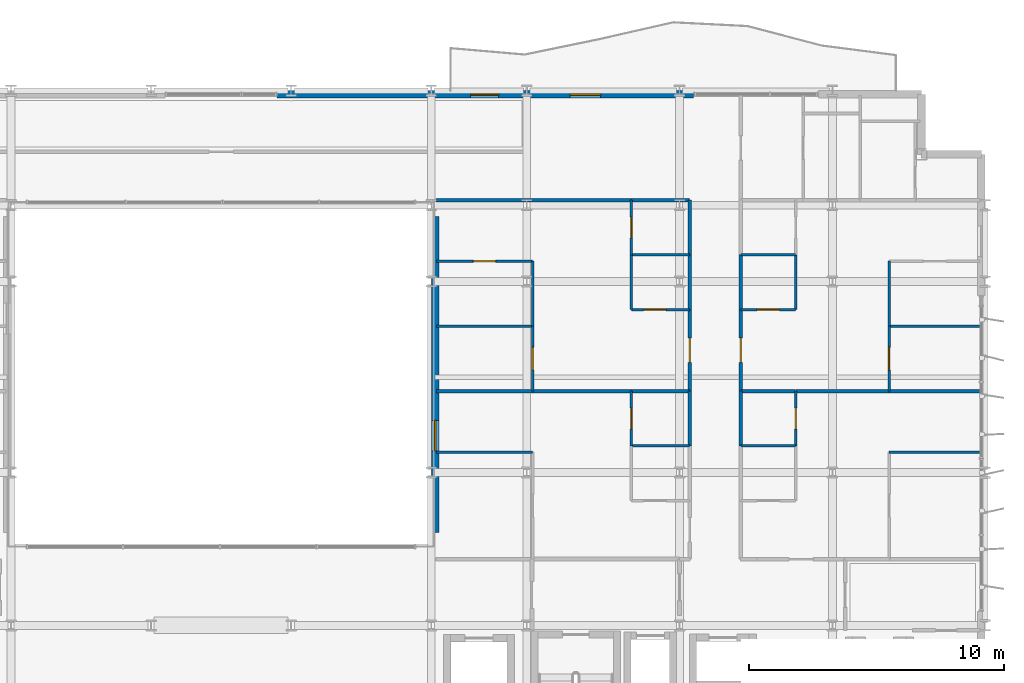
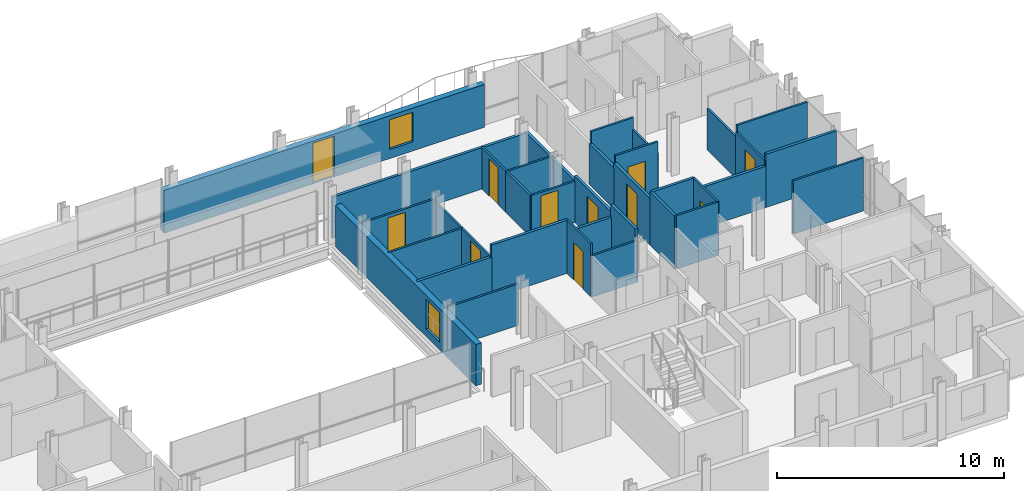
# One storey, part 32 of 39: 37 walls, 11 doors, 2 windows, 13 openings.
"""IFC4 building model written with IfcOpenShell, lengths in metres."""

from ifc_helpers import new_model, si_unit, direction, frame, frame_2d, origin, place, context, subcontext, project, spatial, rectangle, extrude, material, layer, layer_set, type_object, element, fill, save


model = new_model("IFC4")

# Units and contexts
model_context = context("Model", 3, precision=1e-05, world=origin(), true_north=direction((0.0, 1.0)))
body_context = subcontext(model_context, "Body", "Model", "MODEL_VIEW")
ifc_project = project(units=[si_unit("LENGTHUNIT", "METRE"), si_unit("AREAUNIT", "SQUARE_METRE"), si_unit("VOLUMEUNIT", "CUBIC_METRE"), si_unit("PLANEANGLEUNIT", "RADIAN"), si_unit("MASSUNIT", "GRAM", prefix="KILO")], contexts=[model_context])

# Site, building, storey
site_placement = place(None, origin())
site = spatial("IfcSite", under=ifc_project, at=site_placement, CompositionType="ELEMENT")
building_placement = place(site_placement, origin())
building = spatial("IfcBuilding", under=site, at=building_placement, Name="Brevholm Reach", CompositionType="ELEMENT")
storey_placement = place(building_placement, frame((0.0, 0.0, 83.800048828125)))
storey = spatial("IfcBuildingStorey", under=building, at=storey_placement, Name="L24", CompositionType="ELEMENT", Elevation=83.800048828125)

# Wall, openings, door, window
ifc_material_1 = material(Name="Concrete C40/50", Category="concrete")
ifc_layer_1 = layer(ifc_material_1, 0.300048828125)
ifc_layer_set_1 = layer_set([ifc_layer_1], Name="Concrete C40/50")
wall_type_1 = type_object("IfcWallType", Name="WAL-EXT-300", PredefinedType="STANDARD", material=ifc_layer_set_1)
wall_1_placement = place(storey_placement, frame((32.199951171875, 30.85009765625, 0.0), z_axis=(0.0, 0.0, 1.0), x_axis=(1.0, 0.0, 0.0)))
wall_1 = element("IfcWall", 1, at=wall_1_placement, inside=storey, type_object=wall_type_1, Name="L24 Facade Wall WAL-L24-NP-ER", PredefinedType="STANDARD", context=body_context, shape_type="SweptSolid", body=[
    extrude(rectangle(XDim=16.35009765625, YDim=0.300048828125, at=frame_2d((8.175048828125, 0.0))), origin(), (0.0, 0.0, 1.0), 2.305419921875),
])
opening_1_placement = place(wall_1_placement, frame((7.60009765625, 0.0, 0.0)))
opening_1 = element("IfcOpeningElement", 2, at=opening_1_placement, cuts=wall_1, Name="Opening BD-01", PredefinedType="OPENING", context=body_context, shape_type="SweptSolid", body=[
    extrude(rectangle(XDim=1.10009765625, YDim=2.199951171875, at=frame_2d((0.550048828125, 1.10009765625))), frame((0.0, 0.159912109375, 0.0), z_axis=(0.0, -1.0, 0.0), x_axis=(1.0, 0.0, 0.0)), (0.0, 0.0, 1.0), 0.320068359375),
])
opening_2_placement = place(wall_1_placement, frame((11.5, 0.0, 0.486083984375)))
opening_2 = element("IfcOpeningElement", 3, at=opening_2_placement, cuts=wall_1, Name="Opening WN-08", PredefinedType="OPENING", context=body_context, shape_type="SweptSolid", body=[
    extrude(rectangle(XDim=1.199951171875, YDim=1.60009765625, at=frame_2d((0.60009765625, 0.800048828125))), frame((0.0, 0.159912109375, 0.0), z_axis=(0.0, -1.0, 0.0), x_axis=(1.0, 0.0, 0.0)), (0.0, 0.0, 1.0), 0.320068359375),
])
ifc_material_2 = material(Name="Dark Anodised Aluminium and Triple-Glazed Glass", Category="aluminium")
door_type_1 = type_object("IfcDoorType", Name="DOR-BALC-1100", OperationType="NOTDEFINED", PredefinedType="DOOR", material=ifc_material_2)
door_1_placement = place(opening_1_placement, origin())
door_1 = element("IfcDoor", 4, at=door_1_placement, inside=storey, type_object=door_type_1, Name="L24 Exterior Door DOR-L24-BL-NE", OperationType="SINGLE_SWING_RIGHT", OverallHeight=2.199951171875, OverallWidth=1.10009765625, PredefinedType="DOOR", context=body_context, shape_type="SweptSolid", body=[
    extrude(rectangle(XDim=1.10009765625, YDim=2.199951171875, at=frame_2d((0.550048828125, 1.10009765625))), frame((0.0, 0.02490234375, 0.0), z_axis=(0.0, -1.0, 0.0), x_axis=(1.0, 0.0, 0.0)), (0.0, 0.0, 1.0), 0.050048828125),
])
fill(opening_1, door_1)
ifc_material_3 = material(Name="Dark Anodised Aluminium and Solar-Control IGU Glass", Category="aluminium")
window_type = type_object("IfcWindowType", Name="WIN-RES-1200", PartitioningType="SINGLE_PANEL", PredefinedType="WINDOW", material=ifc_material_3)
window_1_placement = place(opening_2_placement, origin())
window_1 = element("IfcWindow", 5, at=window_1_placement, inside=storey, type_object=window_type, Name="L24 Window WIN-L24-NP-ER1", OverallHeight=1.60009765625, OverallWidth=1.199951171875, PartitioningType="SINGLE_PANEL", PredefinedType="WINDOW", context=body_context, shape_type="SweptSolid", body=[
    extrude(rectangle(XDim=1.199951171875, YDim=1.60009765625, at=frame_2d((0.60009765625, 0.800048828125))), frame((0.0, 0.030029296875, 0.0), z_axis=(0.0, -1.0, 0.0), x_axis=(1.0, 0.0, 0.0)), (0.0, 0.0, 1.0), 0.06005859375),
])
fill(opening_2, window_1)

# Wall, opening, window
wall_2_placement = place(storey_placement, frame((38.39990234375, 13.64990234375, 0.0), z_axis=(0.0, 0.0, 1.0), x_axis=(0.0, 1.0, 0.0)))
wall_2 = element("IfcWall", 6, at=wall_2_placement, inside=storey, type_object=wall_type_1, Name="L24 Facade Wall WAL-L24-AT-E", PredefinedType="STANDARD", context=body_context, shape_type="SweptSolid", body=[
    extrude(rectangle(XDim=12.400146484375, YDim=0.300048828125, at=frame_2d((6.2001953125, 0.0))), origin(), (0.0, 0.0, 1.0), 2.224853515625),
])
opening_3_placement = place(wall_2_placement, frame((3.199951171875, 0.0, 0.405029296875)))
opening_3 = element("IfcOpeningElement", 7, at=opening_3_placement, cuts=wall_2, Name="Opening WN-08", PredefinedType="OPENING", context=body_context, shape_type="SweptSolid", body=[
    extrude(rectangle(XDim=1.199951171875, YDim=1.60009765625, at=frame_2d((0.60009765625, 0.800048828125))), frame((0.0, 0.159912109375, 0.0), z_axis=(0.0, -1.0, 0.0), x_axis=(1.0, 0.0, 0.0)), (0.0, 0.0, 1.0), 0.320068359375),
])
window_2_placement = place(opening_3_placement, origin())
window_2 = element("IfcWindow", 8, at=window_2_placement, inside=storey, type_object=window_type, Name="L24 Window WIN-L24-AT-E1", OverallHeight=1.60009765625, OverallWidth=1.199951171875, PartitioningType="SINGLE_PANEL", PredefinedType="WINDOW", context=body_context, shape_type="SweptSolid", body=[
    extrude(rectangle(XDim=1.199951171875, YDim=1.60009765625, at=frame_2d((0.60009765625, 0.800048828125))), frame((0.0, 0.030029296875, 0.0), z_axis=(0.0, -1.0, 0.0), x_axis=(1.0, 0.0, 0.0)), (0.0, 0.0, 1.0), 0.06005859375),
])
fill(opening_3, window_2)

# Wall
ifc_material_4 = material(Name="Moisture-Resistant Acoustic Gypsum Stud Partition 100 mm", Category="gypsum")
ifc_layer_2 = layer(ifc_material_4, 0.10009765625)
ifc_layer_set_2 = layer_set([ifc_layer_2], Name="Moisture-Resistant Acoustic Gypsum Stud Partition 100 mm")
wall_type_2 = type_object("IfcWallType", Name="WAL-PRT-100", PredefinedType="PARTITIONING", material=ifc_layer_set_2)
wall_3_placement = place(storey_placement, frame((46.112060546875, 17.050048828125, 0.0), z_axis=(0.0, 0.0, 1.0), x_axis=(1.0, 0.0, 0.0)))
element("IfcWall", 9, at=wall_3_placement, inside=storey, type_object=wall_type_2, Name="L24 Internal Partition 125", PredefinedType="PARTITIONING", context=body_context, shape_type="SweptSolid", body=[
    extrude(rectangle(XDim=2.283935546875, YDim=0.10009765625, at=frame_2d((1.14208984375, 0.0))), origin(), (0.0, 0.0, 1.0), 2.224853515625),
])

# Wall, opening, door
wall_4_placement = place(storey_placement, frame((46.112060546875, 17.050048828125, 0.0), z_axis=(0.0, 0.0, 1.0), x_axis=(0.0, 1.0, 0.0)))
wall_4 = element("IfcWall", 10, at=wall_4_placement, inside=storey, type_object=wall_type_2, Name="L24 Internal Partition 126", PredefinedType="PARTITIONING", context=body_context, shape_type="SweptSolid", body=[
    extrude(rectangle(XDim=2.14990234375, YDim=0.10009765625, at=frame_2d((1.074951171875, 0.0))), origin(), (0.0, 0.0, 1.0), 2.869873046875),
])
opening_4_placement = place(wall_4_placement, frame((0.6650390625, 0.0, 0.0)))
opening_4 = element("IfcOpeningElement", 11, at=opening_4_placement, cuts=wall_4, Name="Opening ID-03", PredefinedType="OPENING", context=body_context, shape_type="SweptSolid", body=[
    extrude(rectangle(XDim=0.820068359375, YDim=2.02001953125, at=frame_2d((0.41015625, 1.010009765625))), frame((0.0, 0.06005859375, 0.0), z_axis=(0.0, -1.0, 0.0), x_axis=(1.0, 0.0, 0.0)), (0.0, 0.0, 1.0), 0.1201171875),
])
ifc_material_5 = material(Name="Moisture-Resistant Painted Timber Internal Bathroom Door", Category="wood")
door_type_2 = type_object("IfcDoorType", Name="DOR-BATH-820", OperationType="NOTDEFINED", PredefinedType="DOOR", material=ifc_material_5)
door_2_placement = place(opening_4_placement, origin())
door_2 = element("IfcDoor", 12, at=door_2_placement, inside=storey, type_object=door_type_2, Name="L24 Internal Door 048", OperationType="SINGLE_SWING_LEFT", OverallHeight=2.02001953125, OverallWidth=0.820068359375, PredefinedType="DOOR", context=body_context, shape_type="SweptSolid", body=[
    extrude(rectangle(XDim=0.820068359375, YDim=2.02001953125, at=frame_2d((0.41015625, 1.010009765625))), frame((0.0, 0.02490234375, 0.0), z_axis=(0.0, -1.0, 0.0), x_axis=(1.0, 0.0, 0.0)), (0.0, 0.0, 1.0), 0.050048828125),
])
fill(opening_4, door_2)

# Walls
wall_5_placement = place(storey_placement, frame((38.449951171875, 16.800048828125, 0.0), z_axis=(0.0, 0.0, 1.0), x_axis=(1.0, 0.0, 0.0)))
element("IfcWall", 13, at=wall_5_placement, inside=storey, type_object=wall_type_2, Name="L24 Internal Partition 131", PredefinedType="PARTITIONING", context=body_context, shape_type="SweptSolid", body=[
    extrude(rectangle(XDim=3.781005859375, YDim=0.10009765625, at=frame_2d((1.890625, 0.0))), origin(), (0.0, 0.0, 1.0), 2.224853515625),
])
wall_6_placement = place(storey_placement, frame((46.112060546875, 24.550048828125, 0.0), z_axis=(0.0, 0.0, 1.0), x_axis=(1.0, 0.0, 0.0)))
element("IfcWall", 14, at=wall_6_placement, inside=storey, type_object=wall_type_2, Name="L24 Internal Partition 134", PredefinedType="PARTITIONING", context=body_context, shape_type="SweptSolid", body=[
    extrude(rectangle(XDim=2.283935546875, YDim=0.10009765625, at=frame_2d((1.14208984375, 0.0))), origin(), (0.0, 0.0, 1.0), 2.224853515625),
])

# Wall, opening, door
wall_7_placement = place(storey_placement, frame((46.112060546875, 24.550048828125, 0.0), z_axis=(0.0, 0.0, 1.0), x_axis=(0.0, 1.0, 0.0)))
wall_7 = element("IfcWall", 15, at=wall_7_placement, inside=storey, type_object=wall_type_2, Name="L24 Internal Partition 135", PredefinedType="PARTITIONING", context=body_context, shape_type="SweptSolid", body=[
    extrude(rectangle(XDim=2.14599609375, YDim=0.10009765625, at=frame_2d((1.072998046875, 0.0))), origin(), (0.0, 0.0, 1.0), 2.224853515625),
])
opening_5_placement = place(wall_7_placement, frame((0.6630859375, 0.0, 0.0)))
opening_5 = element("IfcOpeningElement", 16, at=opening_5_placement, cuts=wall_7, Name="Opening ID-03", PredefinedType="OPENING", context=body_context, shape_type="SweptSolid", body=[
    extrude(rectangle(XDim=0.820068359375, YDim=2.02001953125, at=frame_2d((0.41015625, 1.010009765625))), frame((0.0, 0.06005859375, 0.0), z_axis=(0.0, -1.0, 0.0), x_axis=(1.0, 0.0, 0.0)), (0.0, 0.0, 1.0), 0.1201171875),
])
door_3_placement = place(opening_5_placement, origin())
door_3 = element("IfcDoor", 17, at=door_3_placement, inside=storey, type_object=door_type_2, Name="L24 Internal Door 051", OperationType="SINGLE_SWING_RIGHT", OverallHeight=2.02001953125, OverallWidth=0.820068359375, PredefinedType="DOOR", context=body_context, shape_type="SweptSolid", body=[
    extrude(rectangle(XDim=0.820068359375, YDim=2.02001953125, at=frame_2d((0.41015625, 1.010009765625))), frame((0.0, 0.02490234375, 0.0), z_axis=(0.0, -1.0, 0.0), x_axis=(1.0, 0.0, 0.0)), (0.0, 0.0, 1.0), 0.050048828125),
])
fill(opening_5, door_3)

wall_8_placement = place(storey_placement, frame((46.112060546875, 22.39990234375, 0.0), z_axis=(0.0, 0.0, 1.0), x_axis=(1.0, 0.0, 0.0)))
wall_8 = element("IfcWall", 18, at=wall_8_placement, inside=storey, type_object=wall_type_2, Name="L24 Internal Partition 136", PredefinedType="PARTITIONING", context=body_context, shape_type="SweptSolid", body=[
    extrude(rectangle(XDim=2.283935546875, YDim=0.10009765625, at=frame_2d((1.14208984375, 0.0))), origin(), (0.0, 0.0, 1.0), 2.224853515625),
])
opening_6_placement = place(wall_8_placement, frame((0.48193359375, 0.0, 0.0)))
opening_6 = element("IfcOpeningElement", 19, at=opening_6_placement, cuts=wall_8, Name="Opening ID-01", PredefinedType="OPENING", context=body_context, shape_type="SweptSolid", body=[
    extrude(rectangle(XDim=0.8798828125, YDim=2.0400390625, at=frame_2d((0.43994140625, 1.02001953125))), frame((0.0, 0.06005859375, 0.0), z_axis=(0.0, -1.0, 0.0), x_axis=(1.0, 0.0, 0.0)), (0.0, 0.0, 1.0), 0.1201171875),
])
ifc_material_6 = material(Name="Lacquered Ash Solid-Core Acoustic Internal Door", Category="timber")
door_type_3 = type_object("IfcDoorType", Name="DOR-INT-880", OperationType="NOTDEFINED", PredefinedType="DOOR", material=ifc_material_6)
door_4_placement = place(opening_6_placement, origin())
door_4 = element("IfcDoor", 20, at=door_4_placement, inside=storey, type_object=door_type_3, Name="L24 Internal Door 052", OperationType="SINGLE_SWING_LEFT", OverallHeight=2.0400390625, OverallWidth=0.8798828125, PredefinedType="DOOR", context=body_context, shape_type="SweptSolid", body=[
    extrude(rectangle(XDim=0.8798828125, YDim=2.0400390625, at=frame_2d((0.43994140625, 1.02001953125))), frame((0.0, 0.02490234375, 0.0), z_axis=(0.0, -1.0, 0.0), x_axis=(1.0, 0.0, 0.0)), (0.0, 0.0, 1.0), 0.050048828125),
])
fill(opening_6, door_4)

# Walls
wall_9_placement = place(storey_placement, frame((46.112060546875, 22.39990234375, 0.0), z_axis=(0.0, 0.0, 1.0), x_axis=(0.0, 1.0, 0.0)))
element("IfcWall", 21, at=wall_9_placement, inside=storey, type_object=wall_type_2, Name="L24 Internal Partition 137", PredefinedType="PARTITIONING", context=body_context, shape_type="SweptSolid", body=[
    extrude(rectangle(XDim=2.14599609375, YDim=0.10009765625, at=frame_2d((1.072998046875, 0.0))), origin(), (0.0, 0.0, 1.0), 2.224853515625),
])
wall_10_placement = place(storey_placement, frame((38.449951171875, 21.75, 0.0), z_axis=(0.0, 0.0, 1.0), x_axis=(1.0, 0.0, 0.0)))
element("IfcWall", 22, at=wall_10_placement, inside=storey, type_object=wall_type_2, Name="L24 Internal Partition 138", PredefinedType="PARTITIONING", context=body_context, shape_type="SweptSolid", body=[
    extrude(rectangle(XDim=3.781005859375, YDim=0.10009765625, at=frame_2d((1.890625, 0.0))), origin(), (0.0, 0.0, 1.0), 2.224853515625),
])

# Wall, opening, door
wall_11_placement = place(storey_placement, frame((42.23095703125, 19.2041015625, 0.0), z_axis=(0.0, 0.0, 1.0), x_axis=(0.0, 1.0, 0.0)))
wall_11 = element("IfcWall", 23, at=wall_11_placement, inside=storey, type_object=wall_type_2, Name="L24 Internal Partition 139", PredefinedType="PARTITIONING", context=body_context, shape_type="SweptSolid", body=[
    extrude(rectangle(XDim=2.5458984375, YDim=0.10009765625, at=frame_2d((1.27294921875, 0.0))), origin(), (0.0, 0.0, 1.0), 2.224853515625),
])
opening_7_placement = place(wall_11_placement, frame((0.8330078125, 0.0, 0.0)))
opening_7 = element("IfcOpeningElement", 24, at=opening_7_placement, cuts=wall_11, Name="Opening ID-01", PredefinedType="OPENING", context=body_context, shape_type="SweptSolid", body=[
    extrude(rectangle(XDim=0.8798828125, YDim=2.0400390625, at=frame_2d((0.43994140625, 1.02001953125))), frame((0.0, 0.06005859375, 0.0), z_axis=(0.0, -1.0, 0.0), x_axis=(1.0, 0.0, 0.0)), (0.0, 0.0, 1.0), 0.1201171875),
])
door_5_placement = place(opening_7_placement, origin())
door_5 = element("IfcDoor", 25, at=door_5_placement, inside=storey, type_object=door_type_3, Name="L24 Internal Door 053", OperationType="SINGLE_SWING_RIGHT", OverallHeight=2.0400390625, OverallWidth=0.8798828125, PredefinedType="DOOR", context=body_context, shape_type="SweptSolid", body=[
    extrude(rectangle(XDim=0.8798828125, YDim=2.0400390625, at=frame_2d((0.43994140625, 1.02001953125))), frame((0.0, 0.02490234375, 0.0), z_axis=(0.0, -1.0, 0.0), x_axis=(1.0, 0.0, 0.0)), (0.0, 0.0, 1.0), 0.050048828125),
])
fill(opening_7, door_5)

# Wall
wall_12_placement = place(storey_placement, frame((42.23095703125, 21.75390625, 0.0), z_axis=(0.0, 0.0, 1.0), x_axis=(0.0, 1.0, 0.0)))
element("IfcWall", 26, at=wall_12_placement, inside=storey, type_object=wall_type_2, Name="L24 Internal Partition 140", PredefinedType="PARTITIONING", context=body_context, shape_type="SweptSolid", body=[
    extrude(rectangle(XDim=2.546142578125, YDim=0.10009765625, at=frame_2d((1.27294921875, 0.0))), origin(), (0.0, 0.0, 1.0), 2.224853515625),
])

# Wall, opening, door
wall_13_placement = place(storey_placement, frame((38.449951171875, 24.300048828125, 0.0), z_axis=(0.0, 0.0, 1.0), x_axis=(1.0, 0.0, 0.0)))
wall_13 = element("IfcWall", 27, at=wall_13_placement, inside=storey, type_object=wall_type_2, Name="L24 Internal Partition 141", PredefinedType="PARTITIONING", context=body_context, shape_type="SweptSolid", body=[
    extrude(rectangle(XDim=3.781005859375, YDim=0.10009765625, at=frame_2d((1.890625, 0.0))), origin(), (0.0, 0.0, 1.0), 2.224853515625),
])
opening_8_placement = place(wall_13_placement, frame((1.450439453125, 0.0, 0.0)))
opening_8 = element("IfcOpeningElement", 28, at=opening_8_placement, cuts=wall_13, Name="Opening ID-01", PredefinedType="OPENING", context=body_context, shape_type="SweptSolid", body=[
    extrude(rectangle(XDim=0.8798828125, YDim=2.0400390625, at=frame_2d((0.43994140625, 1.02001953125))), frame((0.0, 0.06005859375, 0.0), z_axis=(0.0, -1.0, 0.0), x_axis=(1.0, 0.0, 0.0)), (0.0, 0.0, 1.0), 0.1201171875),
])
door_6_placement = place(opening_8_placement, origin())
door_6 = element("IfcDoor", 29, at=door_6_placement, inside=storey, type_object=door_type_3, Name="L24 Internal Door 054", OperationType="SINGLE_SWING_LEFT", OverallHeight=2.0400390625, OverallWidth=0.8798828125, PredefinedType="DOOR", context=body_context, shape_type="SweptSolid", body=[
    extrude(rectangle(XDim=0.8798828125, YDim=2.0400390625, at=frame_2d((0.43994140625, 1.02001953125))), frame((0.0, 0.02490234375, 0.0), z_axis=(0.0, -1.0, 0.0), x_axis=(1.0, 0.0, 0.0)), (0.0, 0.0, 1.0), 0.050048828125),
])
fill(opening_8, door_6)

# Wall
wall_14_placement = place(storey_placement, frame((50.404052734375, 17.050048828125, 0.0), z_axis=(0.0, 0.0, 1.0), x_axis=(1.0, 0.0, 0.0)))
element("IfcWall", 30, at=wall_14_placement, inside=storey, type_object=wall_type_2, Name="L24 Internal Partition 142", PredefinedType="PARTITIONING", context=body_context, shape_type="SweptSolid", body=[
    extrude(rectangle(XDim=2.157958984375, YDim=0.10009765625, at=frame_2d((1.0791015625, 0.0))), origin(), (0.0, 0.0, 1.0), 2.869873046875),
])

# Wall, opening, door
wall_15_placement = place(storey_placement, frame((52.56201171875, 17.050048828125, 0.0), z_axis=(0.0, 0.0, 1.0), x_axis=(0.0, 1.0, 0.0)))
wall_15 = element("IfcWall", 31, at=wall_15_placement, inside=storey, type_object=wall_type_2, Name="L24 Internal Partition 143", PredefinedType="PARTITIONING", context=body_context, shape_type="SweptSolid", body=[
    extrude(rectangle(XDim=2.14990234375, YDim=0.10009765625, at=frame_2d((1.074951171875, 0.0))), origin(), (0.0, 0.0, 1.0), 2.869873046875),
])
opening_9_placement = place(wall_15_placement, frame((0.6650390625, 0.0, 0.0)))
opening_9 = element("IfcOpeningElement", 32, at=opening_9_placement, cuts=wall_15, Name="Opening ID-03", PredefinedType="OPENING", context=body_context, shape_type="SweptSolid", body=[
    extrude(rectangle(XDim=0.820068359375, YDim=2.02001953125, at=frame_2d((0.41015625, 1.010009765625))), frame((0.0, 0.06005859375, 0.0), z_axis=(0.0, -1.0, 0.0), x_axis=(1.0, 0.0, 0.0)), (0.0, 0.0, 1.0), 0.1201171875),
])
door_7_placement = place(opening_9_placement, origin())
door_7 = element("IfcDoor", 33, at=door_7_placement, inside=storey, type_object=door_type_2, Name="L24 Internal Door 055", OperationType="SINGLE_SWING_RIGHT", OverallHeight=2.02001953125, OverallWidth=0.820068359375, PredefinedType="DOOR", context=body_context, shape_type="SweptSolid", body=[
    extrude(rectangle(XDim=0.820068359375, YDim=2.02001953125, at=frame_2d((0.41015625, 1.010009765625))), frame((0.0, 0.02490234375, 0.0), z_axis=(0.0, -1.0, 0.0), x_axis=(1.0, 0.0, 0.0)), (0.0, 0.0, 1.0), 0.050048828125),
])
fill(opening_9, door_7)

# Walls
wall_16_placement = place(storey_placement, frame((56.22802734375, 16.800048828125, 0.0), z_axis=(0.0, 0.0, 1.0), x_axis=(1.0, 0.0, 0.0)))
element("IfcWall", 34, at=wall_16_placement, inside=storey, type_object=wall_type_2, Name="L24 Internal Partition 147", PredefinedType="PARTITIONING", context=body_context, shape_type="SweptSolid", body=[
    extrude(rectangle(XDim=3.572021484375, YDim=0.10009765625, at=frame_2d((1.7861328125, 0.0))), origin(), (0.0, 0.0, 1.0), 2.869873046875),
])
wall_17_placement = place(storey_placement, frame((50.404052734375, 24.550048828125, 0.0), z_axis=(0.0, 0.0, 1.0), x_axis=(1.0, 0.0, 0.0)))
element("IfcWall", 35, at=wall_17_placement, inside=storey, type_object=wall_type_2, Name="L24 Internal Partition 151", PredefinedType="PARTITIONING", context=body_context, shape_type="SweptSolid", body=[
    extrude(rectangle(XDim=2.157958984375, YDim=0.10009765625, at=frame_2d((1.0791015625, 0.0))), origin(), (0.0, 0.0, 1.0), 2.869873046875),
])

# Wall, opening, door
wall_18_placement = place(storey_placement, frame((50.404052734375, 22.39990234375, 0.0), z_axis=(0.0, 0.0, 1.0), x_axis=(1.0, 0.0, 0.0)))
wall_18 = element("IfcWall", 36, at=wall_18_placement, inside=storey, type_object=wall_type_2, Name="L24 Internal Partition 154", PredefinedType="PARTITIONING", context=body_context, shape_type="SweptSolid", body=[
    extrude(rectangle(XDim=2.157958984375, YDim=0.10009765625, at=frame_2d((1.0791015625, 0.0))), origin(), (0.0, 0.0, 1.0), 2.869873046875),
])
opening_10_placement = place(wall_18_placement, frame((0.638916015625, 0.0, 0.0)))
opening_10 = element("IfcOpeningElement", 37, at=opening_10_placement, cuts=wall_18, Name="Opening ID-01", PredefinedType="OPENING", context=body_context, shape_type="SweptSolid", body=[
    extrude(rectangle(XDim=0.8798828125, YDim=2.0400390625, at=frame_2d((0.43994140625, 1.02001953125))), frame((0.0, 0.06005859375, 0.0), z_axis=(0.0, -1.0, 0.0), x_axis=(1.0, 0.0, 0.0)), (0.0, 0.0, 1.0), 0.1201171875),
])
door_8_placement = place(opening_10_placement, origin())
door_8 = element("IfcDoor", 38, at=door_8_placement, inside=storey, type_object=door_type_3, Name="L24 Internal Door 059", OperationType="SINGLE_SWING_RIGHT", OverallHeight=2.0400390625, OverallWidth=0.8798828125, PredefinedType="DOOR", context=body_context, shape_type="SweptSolid", body=[
    extrude(rectangle(XDim=0.8798828125, YDim=2.0400390625, at=frame_2d((0.43994140625, 1.02001953125))), frame((0.0, 0.02490234375, 0.0), z_axis=(0.0, -1.0, 0.0), x_axis=(1.0, 0.0, 0.0)), (0.0, 0.0, 1.0), 0.050048828125),
])
fill(opening_10, door_8)

# Walls
wall_19_placement = place(storey_placement, frame((52.56201171875, 22.39990234375, 0.0), z_axis=(0.0, 0.0, 1.0), x_axis=(0.0, 1.0, 0.0)))
element("IfcWall", 39, at=wall_19_placement, inside=storey, type_object=wall_type_2, Name="L24 Internal Partition 155", PredefinedType="PARTITIONING", context=body_context, shape_type="SweptSolid", body=[
    extrude(rectangle(XDim=2.14599609375, YDim=0.10009765625, at=frame_2d((1.072998046875, 0.0))), origin(), (0.0, 0.0, 1.0), 2.224853515625),
])
wall_20_placement = place(storey_placement, frame((56.22802734375, 21.75, 0.0), z_axis=(0.0, 0.0, 1.0), x_axis=(1.0, 0.0, 0.0)))
element("IfcWall", 40, at=wall_20_placement, inside=storey, type_object=wall_type_2, Name="L24 Internal Partition 156", PredefinedType="PARTITIONING", context=body_context, shape_type="SweptSolid", body=[
    extrude(rectangle(XDim=3.572021484375, YDim=0.10009765625, at=frame_2d((1.7861328125, 0.0))), origin(), (0.0, 0.0, 1.0), 2.869873046875),
])

# Wall, opening, door
wall_21_placement = place(storey_placement, frame((56.22802734375, 19.2041015625, 0.0), z_axis=(0.0, 0.0, 1.0), x_axis=(0.0, 1.0, 0.0)))
wall_21 = element("IfcWall", 41, at=wall_21_placement, inside=storey, type_object=wall_type_2, Name="L24 Internal Partition 157", PredefinedType="PARTITIONING", context=body_context, shape_type="SweptSolid", body=[
    extrude(rectangle(XDim=2.5458984375, YDim=0.10009765625, at=frame_2d((1.27294921875, 0.0))), origin(), (0.0, 0.0, 1.0), 2.489990234375),
])
opening_11_placement = place(wall_21_placement, frame((0.8330078125, 0.0, 0.0)))
opening_11 = element("IfcOpeningElement", 42, at=opening_11_placement, cuts=wall_21, Name="Opening ID-01", PredefinedType="OPENING", context=body_context, shape_type="SweptSolid", body=[
    extrude(rectangle(XDim=0.8798828125, YDim=2.0400390625, at=frame_2d((0.43994140625, 1.02001953125))), frame((0.0, 0.06005859375, 0.0), z_axis=(0.0, -1.0, 0.0), x_axis=(1.0, 0.0, 0.0)), (0.0, 0.0, 1.0), 0.1201171875),
])
door_9_placement = place(opening_11_placement, origin())
door_9 = element("IfcDoor", 43, at=door_9_placement, inside=storey, type_object=door_type_3, Name="L24 Internal Door 060", OperationType="SINGLE_SWING_LEFT", OverallHeight=2.0400390625, OverallWidth=0.8798828125, PredefinedType="DOOR", context=body_context, shape_type="SweptSolid", body=[
    extrude(rectangle(XDim=0.8798828125, YDim=2.0400390625, at=frame_2d((0.43994140625, 1.02001953125))), frame((0.0, 0.02490234375, 0.0), z_axis=(0.0, -1.0, 0.0), x_axis=(1.0, 0.0, 0.0)), (0.0, 0.0, 1.0), 0.050048828125),
])
fill(opening_11, door_9)

# Walls
wall_22_placement = place(storey_placement, frame((56.22802734375, 21.75390625, 0.0), z_axis=(0.0, 0.0, 1.0), x_axis=(0.0, 1.0, 0.0)))
element("IfcWall", 44, at=wall_22_placement, inside=storey, type_object=wall_type_2, Name="L24 Internal Partition 159", PredefinedType="PARTITIONING", context=body_context, shape_type="SweptSolid", body=[
    extrude(rectangle(XDim=2.546142578125, YDim=0.10009765625, at=frame_2d((1.27294921875, 0.0))), origin(), (0.0, 0.0, 1.0), 2.224853515625),
])
ifc_material_7 = material(Name="Twin-Stud Acoustic Fire-Rated Gypsum Partition 140 mm", Category="gypsum")
ifc_layer_3 = layer(ifc_material_7, 0.139892578125)
ifc_layer_set_3 = layer_set([ifc_layer_3], Name="Twin-Stud Acoustic Fire-Rated Gypsum Partition 140 mm")
wall_type_3 = type_object("IfcWallType", Name="WAL-PRT-140", PredefinedType="PARTITIONING", material=ifc_layer_set_3)
wall_23_placement = place(storey_placement, frame((48.39990234375, 17.038818359375, 0.0), z_axis=(0.0, 0.0, 1.0), x_axis=(0.0, 1.0, 0.0)))
element("IfcWall", 45, at=wall_23_placement, inside=storey, type_object=wall_type_3, Name="L24 Internal Partition 041", PredefinedType="PARTITIONING", context=body_context, shape_type="SweptSolid", body=[
    extrude(rectangle(XDim=2.17236328125, YDim=0.139892578125, at=frame_2d((1.086181640625, 0.0))), origin(), (0.0, 0.0, 1.0), 2.869873046875),
])
wall_24_placement = place(storey_placement, frame((48.39990234375, 24.538818359375, 0.0), z_axis=(0.0, 0.0, 1.0), x_axis=(0.0, 1.0, 0.0)))
element("IfcWall", 46, at=wall_24_placement, inside=storey, type_object=wall_type_3, Name="L24 Internal Partition 044", PredefinedType="PARTITIONING", context=body_context, shape_type="SweptSolid", body=[
    extrude(rectangle(XDim=2.16845703125, YDim=0.139892578125, at=frame_2d((1.084228515625, 0.0))), origin(), (0.0, 0.0, 1.0), 2.224853515625),
])
wall_25_placement = place(storey_placement, frame((48.39990234375, 22.388671875, 0.0), z_axis=(0.0, 0.0, 1.0), x_axis=(0.0, 1.0, 0.0)))
element("IfcWall", 47, at=wall_25_placement, inside=storey, type_object=wall_type_3, Name="L24 Internal Partition 045", PredefinedType="PARTITIONING", context=body_context, shape_type="SweptSolid", body=[
    extrude(rectangle(XDim=2.168701171875, YDim=0.139892578125, at=frame_2d((1.08447265625, 0.0))), origin(), (0.0, 0.0, 1.0), 2.224853515625),
])

# Wall, opening, door
wall_26_placement = place(storey_placement, frame((48.39990234375, 19.192626953125, 0.0), z_axis=(0.0, 0.0, 1.0), x_axis=(0.0, 1.0, 0.0)))
wall_26 = element("IfcWall", 48, at=wall_26_placement, inside=storey, type_object=wall_type_3, Name="L24 Internal Partition 046", PredefinedType="PARTITIONING", context=body_context, shape_type="SweptSolid", body=[
    extrude(rectangle(XDim=3.214599609375, YDim=0.139892578125, at=frame_2d((1.607421875, 0.0))), origin(), (0.0, 0.0, 1.0), 2.489990234375),
])
opening_12_placement = place(wall_26_placement, frame((1.13232421875, 0.0, 0.0)))
opening_12 = element("IfcOpeningElement", 49, at=opening_12_placement, cuts=wall_26, Name="Opening ID-30", PredefinedType="OPENING", context=body_context, shape_type="SweptSolid", body=[
    extrude(rectangle(XDim=0.949951171875, YDim=2.050048828125, at=frame_2d((0.47509765625, 1.02490234375))), frame((0.0, 0.079833984375, 0.0), z_axis=(0.0, -1.0, 0.0), x_axis=(1.0, 0.0, 0.0)), (0.0, 0.0, 1.0), 0.159912109375),
])
ifc_material_8 = material(Name="European Oak Veneered Solid-Core Fire Entrance Door", Category="timber")
door_type_4 = type_object("IfcDoorType", Name="DOR-FLT-FD30S", OperationType="NOTDEFINED", PredefinedType="DOOR", material=ifc_material_8)
door_10_placement = place(opening_12_placement, origin())
door_10 = element("IfcDoor", 50, at=door_10_placement, inside=storey, type_object=door_type_4, Name="L24 Internal Door 021", OperationType="SINGLE_SWING_RIGHT", OverallHeight=2.050048828125, OverallWidth=0.949951171875, PredefinedType="DOOR", context=body_context, shape_type="SweptSolid", body=[
    extrude(rectangle(XDim=0.949951171875, YDim=2.050048828125, at=frame_2d((0.47509765625, 1.02490234375))), frame((0.0, 0.02490234375, 0.0), z_axis=(0.0, -1.0, 0.0), x_axis=(1.0, 0.0, 0.0)), (0.0, 0.0, 1.0), 0.050048828125),
])
fill(opening_12, door_10)

# Walls
wall_27_placement = place(storey_placement, frame((50.39990234375, 17.038818359375, 0.0), z_axis=(0.0, 0.0, 1.0), x_axis=(0.0, 1.0, 0.0)))
element("IfcWall", 51, at=wall_27_placement, inside=storey, type_object=wall_type_3, Name="L24 Internal Partition 047", PredefinedType="PARTITIONING", context=body_context, shape_type="SweptSolid", body=[
    extrude(rectangle(XDim=2.17236328125, YDim=0.139892578125, at=frame_2d((1.086181640625, 0.0))), origin(), (0.0, 0.0, 1.0), 2.869873046875),
])
wall_28_placement = place(storey_placement, frame((50.39990234375, 22.388671875, 0.0), z_axis=(0.0, 0.0, 1.0), x_axis=(0.0, 1.0, 0.0)))
element("IfcWall", 52, at=wall_28_placement, inside=storey, type_object=wall_type_3, Name="L24 Internal Partition 051", PredefinedType="PARTITIONING", context=body_context, shape_type="SweptSolid", body=[
    extrude(rectangle(XDim=2.168701171875, YDim=0.139892578125, at=frame_2d((1.08447265625, 0.0))), origin(), (0.0, 0.0, 1.0), 2.224853515625),
])

# Wall, opening, door
wall_29_placement = place(storey_placement, frame((50.39990234375, 19.192626953125, 0.0), z_axis=(0.0, 0.0, 1.0), x_axis=(0.0, 1.0, 0.0)))
wall_29 = element("IfcWall", 53, at=wall_29_placement, inside=storey, type_object=wall_type_3, Name="L24 Internal Partition 052", PredefinedType="PARTITIONING", context=body_context, shape_type="SweptSolid", body=[
    extrude(rectangle(XDim=3.214599609375, YDim=0.139892578125, at=frame_2d((1.607421875, 0.0))), origin(), (0.0, 0.0, 1.0), 2.489990234375),
])
opening_13_placement = place(wall_29_placement, frame((1.13232421875, 0.0, 0.0)))
opening_13 = element("IfcOpeningElement", 54, at=opening_13_placement, cuts=wall_29, Name="Opening ID-30", PredefinedType="OPENING", context=body_context, shape_type="SweptSolid", body=[
    extrude(rectangle(XDim=0.949951171875, YDim=2.050048828125, at=frame_2d((0.47509765625, 1.02490234375))), frame((0.0, 0.079833984375, 0.0), z_axis=(0.0, -1.0, 0.0), x_axis=(1.0, 0.0, 0.0)), (0.0, 0.0, 1.0), 0.159912109375),
])
door_11_placement = place(opening_13_placement, origin())
door_11 = element("IfcDoor", 55, at=door_11_placement, inside=storey, type_object=door_type_4, Name="L24 Internal Door 022", OperationType="SINGLE_SWING_LEFT", OverallHeight=2.050048828125, OverallWidth=0.949951171875, PredefinedType="DOOR", context=body_context, shape_type="SweptSolid", body=[
    extrude(rectangle(XDim=0.949951171875, YDim=2.050048828125, at=frame_2d((0.47509765625, 1.02490234375))), frame((0.0, 0.02490234375, 0.0), z_axis=(0.0, -1.0, 0.0), x_axis=(1.0, 0.0, 0.0)), (0.0, 0.0, 1.0), 0.050048828125),
])
fill(opening_13, door_11)

# Walls
wall_30_placement = place(storey_placement, frame((46.1005859375, 26.699951171875, 0.0), z_axis=(0.0, 0.0, 1.0), x_axis=(1.0, 0.0, 0.0)))
element("IfcWall", 56, at=wall_30_placement, inside=storey, type_object=wall_type_3, Name="L24 Internal Partition 056", PredefinedType="PARTITIONING", context=body_context, shape_type="SweptSolid", body=[
    extrude(rectangle(XDim=2.29541015625, YDim=0.139892578125, at=frame_2d((1.147705078125, 0.0))), origin(), (0.0, 0.0, 1.0), 2.224853515625),
])
wall_31_placement = place(storey_placement, frame((38.438720703125, 26.699951171875, 0.0), z_axis=(0.0, 0.0, 1.0), x_axis=(1.0, 0.0, 0.0)))
element("IfcWall", 57, at=wall_31_placement, inside=storey, type_object=wall_type_3, Name="L24 Internal Partition 057", PredefinedType="PARTITIONING", context=body_context, shape_type="SweptSolid", body=[
    extrude(rectangle(XDim=7.6806640625, YDim=0.139892578125, at=frame_2d((3.84033203125, 0.0))), origin(), (0.0, 0.0, 1.0), 2.224853515625),
])
wall_32_placement = place(storey_placement, frame((46.112060546875, 19.199951171875, 0.0), z_axis=(0.0, 0.0, 1.0), x_axis=(1.0, 0.0, 0.0)))
element("IfcWall", 58, at=wall_32_placement, inside=storey, type_object=wall_type_3, Name="L24 Internal Partition 127", PredefinedType="PARTITIONING", context=body_context, shape_type="SweptSolid", body=[
    extrude(rectangle(XDim=2.283935546875, YDim=0.139892578125, at=frame_2d((1.14208984375, 0.0))), origin(), (0.0, 0.0, 1.0), 2.224853515625),
])
wall_33_placement = place(storey_placement, frame((38.449951171875, 19.199951171875, 0.0), z_axis=(0.0, 0.0, 1.0), x_axis=(1.0, 0.0, 0.0)))
element("IfcWall", 59, at=wall_33_placement, inside=storey, type_object=wall_type_3, Name="L24 Internal Partition 132", PredefinedType="PARTITIONING", context=body_context, shape_type="SweptSolid", body=[
    extrude(rectangle(XDim=3.792236328125, YDim=0.139892578125, at=frame_2d((1.89599609375, 0.0))), origin(), (0.0, 0.0, 1.0), 2.224853515625),
])
wall_34_placement = place(storey_placement, frame((42.2236328125, 19.199951171875, 0.0), z_axis=(0.0, 0.0, 1.0), x_axis=(1.0, 0.0, 0.0)))
element("IfcWall", 60, at=wall_34_placement, inside=storey, type_object=wall_type_3, Name="L24 Internal Partition 133", PredefinedType="PARTITIONING", context=body_context, shape_type="SweptSolid", body=[
    extrude(rectangle(XDim=3.88427734375, YDim=0.139892578125, at=frame_2d((1.942138671875, 0.0))), origin(), (0.0, 0.0, 1.0), 2.869873046875),
])
wall_35_placement = place(storey_placement, frame((50.404052734375, 19.199951171875, 0.0), z_axis=(0.0, 0.0, 1.0), x_axis=(1.0, 0.0, 0.0)))
element("IfcWall", 61, at=wall_35_placement, inside=storey, type_object=wall_type_3, Name="L24 Internal Partition 144", PredefinedType="PARTITIONING", context=body_context, shape_type="SweptSolid", body=[
    extrude(rectangle(XDim=2.157958984375, YDim=0.139892578125, at=frame_2d((1.0791015625, 0.0))), origin(), (0.0, 0.0, 1.0), 2.869873046875),
])
wall_36_placement = place(storey_placement, frame((56.216796875, 19.199951171875, 0.0), z_axis=(0.0, 0.0, 1.0), x_axis=(1.0, 0.0, 0.0)))
element("IfcWall", 62, at=wall_36_placement, inside=storey, type_object=wall_type_3, Name="L24 Internal Partition 149", PredefinedType="PARTITIONING", context=body_context, shape_type="SweptSolid", body=[
    extrude(rectangle(XDim=3.583251953125, YDim=0.139892578125, at=frame_2d((1.79150390625, 0.0))), origin(), (0.0, 0.0, 1.0), 2.869873046875),
])
wall_37_placement = place(storey_placement, frame((52.56591796875, 19.199951171875, 0.0), z_axis=(0.0, 0.0, 1.0), x_axis=(1.0, 0.0, 0.0)))
element("IfcWall", 63, at=wall_37_placement, inside=storey, type_object=wall_type_3, Name="L24 Internal Partition 150", PredefinedType="PARTITIONING", context=body_context, shape_type="SweptSolid", body=[
    extrude(rectangle(XDim=3.66943359375, YDim=0.139892578125, at=frame_2d((1.834716796875, 0.0))), origin(), (0.0, 0.0, 1.0), 2.224853515625),
])

save(model, "model.ifc")
